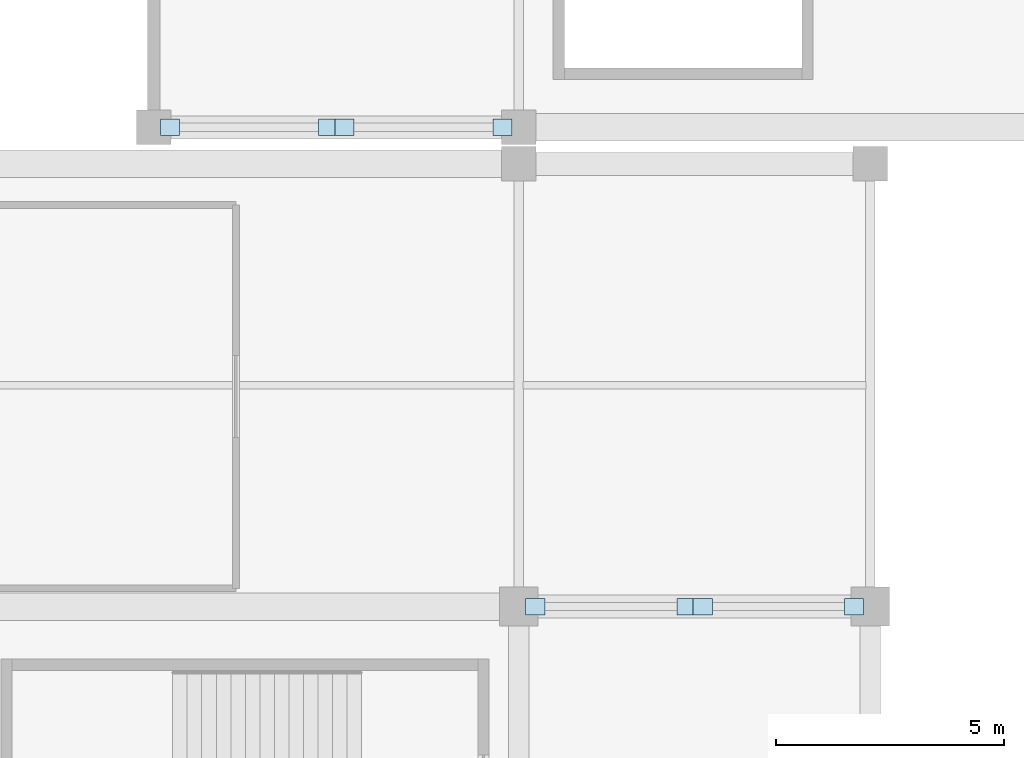
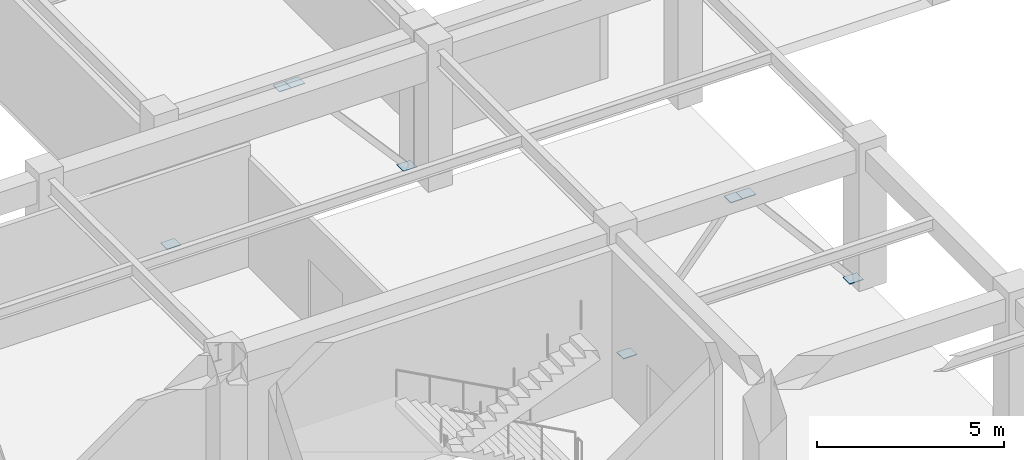
# One storey, part 77 of 112: 8 plates.
"""IFC4 building model written with IfcOpenShell, lengths in metres."""

from ifc_helpers import new_model, si_unit, direction, frame, origin, origin_2d, place, context, subcontext, project, spatial, rectangle, extrude, material, layer, layer_set, type_object, element, save


model = new_model("IFC4")

# Units and contexts
model_context = context("Model", 3, precision=1e-05, world=origin(), true_north=direction((0.0, 1.0)))
body_context = subcontext(model_context, "Body", "Model", "MODEL_VIEW")
ifc_project = project(units=[si_unit("LENGTHUNIT", "METRE"), si_unit("AREAUNIT", "SQUARE_METRE"), si_unit("VOLUMEUNIT", "CUBIC_METRE"), si_unit("PLANEANGLEUNIT", "RADIAN"), si_unit("MASSUNIT", "GRAM", prefix="KILO")], contexts=[model_context])

# Site, building, storey
site_placement = place(None, origin())
site = spatial("IfcSite", under=ifc_project, at=site_placement, CompositionType="ELEMENT")
building_placement = place(site_placement, origin())
building = spatial("IfcBuilding", under=site, at=building_placement, Name="Cuetzalor Civic Arena", CompositionType="ELEMENT")
storey_placement = place(building_placement, frame((0.0, 0.0, 11.39990234375)))
storey = spatial("IfcBuildingStorey", under=building, at=storey_placement, Name="L02", CompositionType="ELEMENT", Elevation=11.39990234375)

# Plates
ifc_material = material(Name="Steel S355", Category="steel")
ifc_layer = layer(ifc_material, 0.02001953125)
ifc_layer_set = layer_set([ifc_layer], Name="Steel S355")
plate_type = type_object("IfcPlateType", Name="TubeEndCapPlate_CP01", PredefinedType="SHEET", material=ifc_layer_set)
for number, where, z_axis, x_axis, name in (
    (1, (-71.639892578125, 35.5, 0.14013671875), (0.0, 0.0, 1.0), (1.0, 0.0, 0.0), "Brace End Cap Plate 005-1"),
    (2, (-68.179931640625, 35.5, 4.070068359375), (0.0, 0.0, 1.0), (1.0, 0.0, 0.0), "Brace End Cap Plate 005-2"),
    (3, (-64.360107421875, 35.5, 0.14013671875), (0.0, 0.0, 1.0), (1.0, 0.0, 0.0), "Brace End Cap Plate 006-1"),
    (4, (-67.820068359375, 35.5, 4.070068359375), (0.0, 0.0, 1.0), (1.0, 0.0, 0.0), "Brace End Cap Plate 006-2"),
    (5, (-63.639892578125, 25.0, 0.14013671875), (0.0, 0.0, 1.0), (1.0, 0.0, 0.0), "Brace End Cap Plate 017-1"),
    (6, (-60.330078125, 25.0, 4.070068359375), (0.0, 0.0, 1.0), (1.0, 0.0, 0.0), "Brace End Cap Plate 017-2"),
    (7, (-56.659912109375, 25.0, 0.14013671875), (0.0, 0.0, 1.0), (1.0, 0.0, 0.0), "Brace End Cap Plate 018-1"),
    (8, (-59.969970703125, 25.0, 4.070068359375), (0.0, 0.0, 1.0), (1.0, 0.0, 0.0), "Brace End Cap Plate 018-2"),
):
    element("IfcPlate", number, at=place(storey_placement, frame(where, z_axis=z_axis, x_axis=x_axis)), inside=storey, type_object=plate_type, Name=name, PredefinedType="SHEET", context=body_context, shape_type="SweptSolid", body=[
        extrude(rectangle(XDim=0.419921875, YDim=0.360107421875, at=origin_2d()), origin(), (0.0, 0.0, 1.0), 0.02001953125),
    ])

save(model, "model.ifc")
